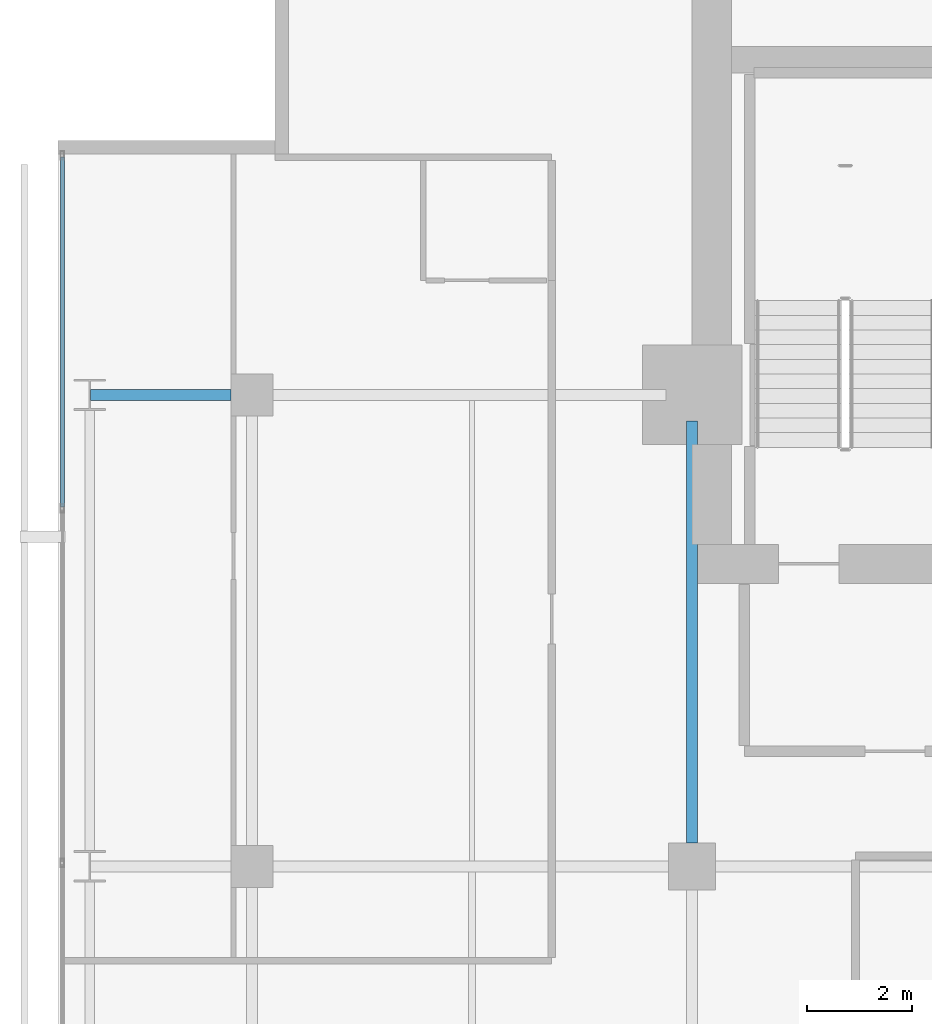
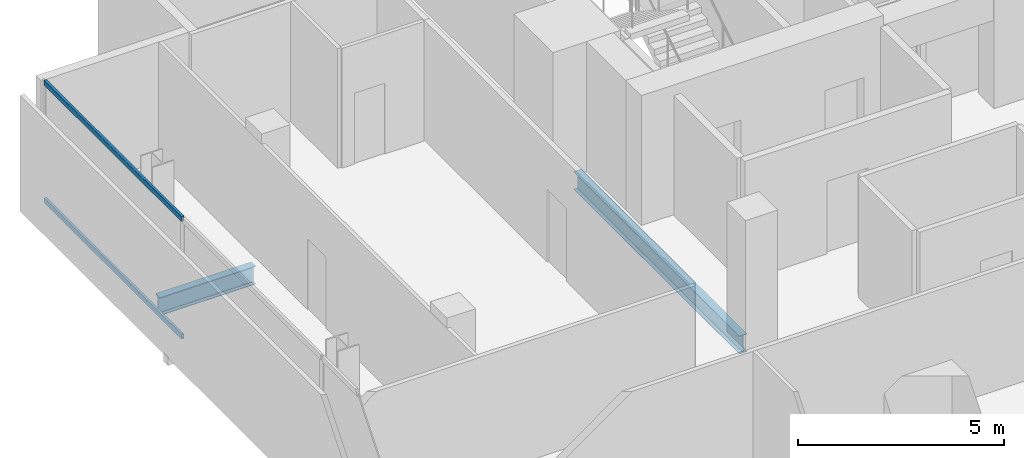
# One storey, part 19 of 32: 2 beams, 2 members, 1 element without a shape of its own.
"""IFC4 building model written with IfcOpenShell, lengths in metres."""

from ifc_helpers import new_model, si_unit, direction, frame, origin, origin_2d, place, context, subcontext, project, spatial, hollow_rectangle, i_section, extrude, material, layer, layer_set, material_profile, profile_set, type_object, element, aggregate, save


model = new_model("IFC4")

# Units and contexts
model_context = context("Model", 3, precision=1e-05, world=origin(), true_north=direction((0.0, 1.0)))
body_context = subcontext(model_context, "Body", "Model", "MODEL_VIEW")
ifc_project = project(units=[si_unit("LENGTHUNIT", "METRE"), si_unit("AREAUNIT", "SQUARE_METRE"), si_unit("VOLUMEUNIT", "CUBIC_METRE"), si_unit("PLANEANGLEUNIT", "RADIAN"), si_unit("MASSUNIT", "GRAM", prefix="KILO")], contexts=[model_context])

# Site, building, storey
site_placement = place(None, origin())
site = spatial("IfcSite", under=ifc_project, at=site_placement, CompositionType="ELEMENT")
building_placement = place(site_placement, origin())
building = spatial("IfcBuilding", under=site, at=building_placement, Name="Maruvema Waterfront Hotel and Observation Tower", CompositionType="ELEMENT")
storey_placement = place(building_placement, frame((0.0, 0.0, 223.64990234375)))
storey = spatial("IfcBuildingStorey", under=building, at=storey_placement, Name="L55", CompositionType="ELEMENT", Elevation=223.64990234375)

# Curtain wall, members
ifc_material_1 = material(Name="Anodised bronze aluminium and solar-control low-E IGU", Category="aluminium")
ifc_layer = layer(ifc_material_1, 0.159912109375, Name="Zone 2 Amber Inner Thermal Curtain Wall System CW-03")
ifc_layer_set = layer_set([ifc_layer], Name="Anodised bronze aluminium and solar-control low-E IGU")
curtain_wall_type = type_object("IfcCurtainWallType", Name="Zone 2 Amber Inner Thermal Curtain Wall System CW-03", PredefinedType="USERDEFINED", material=ifc_layer_set)
curtain_wall_placement = place(storey_placement, origin())
curtain_wall = element("IfcCurtainWall", 1, at=curtain_wall_placement, inside=storey, type_object=curtain_wall_type, Name="L55 Curtain Wall CW-L55-W", ObjectType="UNITISED CURTAIN WALL", PredefinedType="USERDEFINED")
ifc_material_2 = material(Name="Anodised architectural bronze aluminium", Category="aluminium")
ifc_material_profile_1 = material_profile(ifc_material_2, hollow_rectangle(XDim=0.070068359375, YDim=0.14990234375, WallThickness=0.00390625, at=origin_2d()), Name="ALU-T70x150")
ifc_profile_set_1 = profile_set([ifc_material_profile_1], Name="Anodised architectural bronze aluminium")
member_type = type_object("IfcMemberType", Name="Curtain Wall Horizontal Transom ALU-T70x150", PredefinedType="USERDEFINED", material=ifc_profile_set_1)
member_1_placement = place(storey_placement, frame((13.179931640625, 49.5400390625, 0.030029296875), z_axis=(0.0, -1.0, 0.0), x_axis=(1.0, 0.0, 0.0)))
member_1 = element("IfcMember", 2, at=member_1_placement, type_object=member_type, Name="CW-03 transom 1.1", ObjectType="TRANSOM", PredefinedType="USERDEFINED", context=body_context, shape_type="SweptSolid", body=[
    extrude(hollow_rectangle(XDim=0.070068359375, YDim=0.14990234375, WallThickness=0.00390625, at=origin_2d()), origin(), (0.0, 0.0, 1.0), 6.6767578125),
])
member_2_placement = place(storey_placement, frame((13.179931640625, 49.5400390625, 3.52001953125), z_axis=(0.0, -1.0, 0.0), x_axis=(1.0, 0.0, 0.0)))
member_2 = element("IfcMember", 3, at=member_2_placement, type_object=member_type, Name="CW-03 transom 1.2", ObjectType="TRANSOM", PredefinedType="USERDEFINED", context=body_context, shape_type="SweptSolid", body=[
    extrude(hollow_rectangle(XDim=0.070068359375, YDim=0.14990234375, WallThickness=0.00390625, at=origin_2d()), origin(), (0.0, 0.0, 1.0), 6.6767578125),
])
aggregate(curtain_wall, [member_1, member_2])

# Beams
ifc_material_3 = material(Name="Steel ASTM A572 Grade 50", Category="steel")
ifc_material_profile_2 = material_profile(ifc_material_3, i_section(OverallWidth=0.2109375, OverallDepth=0.5390625, WebThickness=0.01171875, FlangeThickness=0.018798828125, FilletRadius=0.014892578125, at=origin_2d()), Name="W530x109.0")
ifc_profile_set_2 = profile_set([ifc_material_profile_2], Name="Steel ASTM A572 Grade 50")
beam_type = type_object("IfcBeamType", Name="Primary Floor Girder W530x109.0", PredefinedType="BEAM", material=ifc_profile_set_2)
beam_1_placement = place(storey_placement, frame((13.71240234375, 45.0, -0.509521484375), z_axis=(1.0, 0.0, 0.0), x_axis=(0.0, 1.0, 0.0)))
element("IfcBeam", 4, at=beam_1_placement, inside=storey, type_object=beam_type, Name="L55 Floor Girder EW-30", PredefinedType="BEAM", context=body_context, shape_type="SweptSolid", body=[
    extrude(i_section(OverallWidth=0.2109375, OverallDepth=0.5390625, WebThickness=0.01171875, FlangeThickness=0.018798828125, FilletRadius=0.014892578125, at=origin_2d()), origin(), (0.0, 0.0, 1.0), 2.6875),
])
beam_2_placement = place(storey_placement, frame((25.199951171875, 36.449951171875, -0.509521484375), z_axis=(0.0, 1.0, 0.0), x_axis=(-1.0, 0.0, 0.0)))
element("IfcBeam", 5, at=beam_2_placement, inside=storey, type_object=beam_type, Name="L55 Floor Girder NS-13", PredefinedType="BEAM", context=body_context, shape_type="SweptSolid", body=[
    extrude(i_section(OverallWidth=0.2109375, OverallDepth=0.5390625, WebThickness=0.01171875, FlangeThickness=0.018798828125, FilletRadius=0.014892578125, at=origin_2d()), origin(), (0.0, 0.0, 1.0), 8.050048828125),
])

save(model, "model.ifc")
